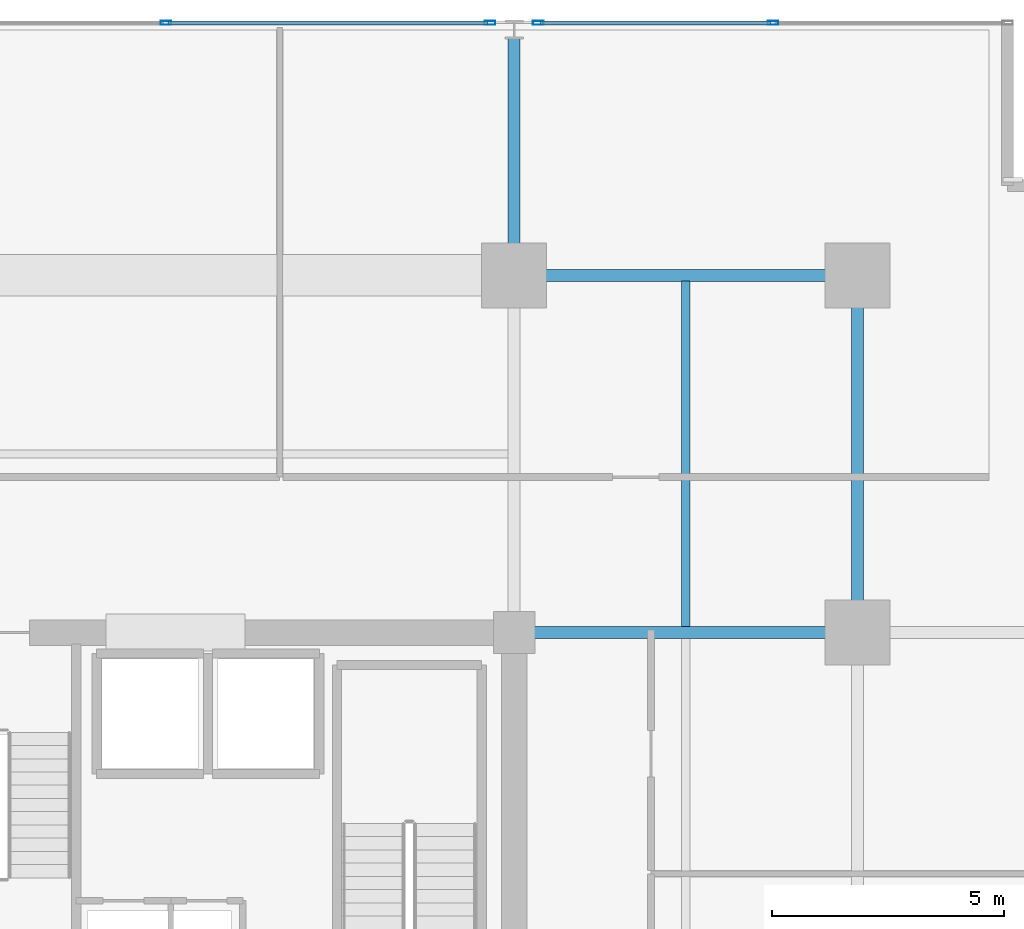
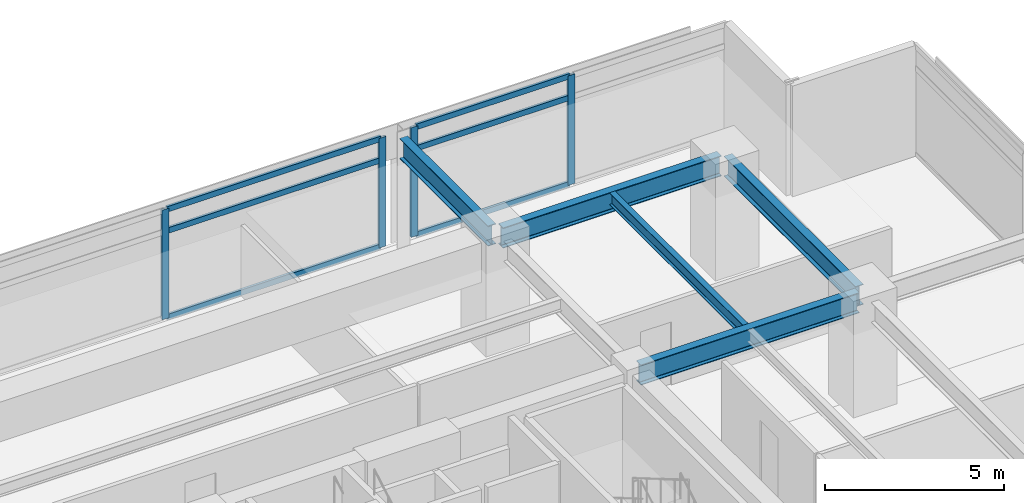
# One storey, part 11 of 23: 10 members, 5 beams, 2 elements without a shape of their own.
"""IFC4 building model written with IfcOpenShell, lengths in metres."""

from ifc_helpers import new_model, si_unit, direction, frame, origin, origin_2d, place, context, subcontext, project, spatial, hollow_rectangle, i_section, extrude, material, material_profile, profile_set, type_object, element, aggregate, save


model = new_model("IFC4")

# Units and contexts
model_context = context("Model", 3, precision=1e-05, world=origin(), true_north=direction((0.0, 1.0)))
body_context = subcontext(model_context, "Body", "Model", "MODEL_VIEW")
ifc_project = project(units=[si_unit("LENGTHUNIT", "METRE"), si_unit("AREAUNIT", "SQUARE_METRE"), si_unit("VOLUMEUNIT", "CUBIC_METRE"), si_unit("PLANEANGLEUNIT", "RADIAN"), si_unit("MASSUNIT", "GRAM", prefix="KILO")], contexts=[model_context])

# Site, building, storey
site_placement = place(None, origin())
site = spatial("IfcSite", under=ifc_project, at=site_placement, CompositionType="ELEMENT")
building_placement = place(site_placement, origin())
building = spatial("IfcBuilding", under=site, at=building_placement, Name="Kovane Verandah Tower", CompositionType="ELEMENT")
storey_placement = place(building_placement, frame((0.0, 0.0, 221.199951171875)))
storey = spatial("IfcBuildingStorey", under=building, at=storey_placement, Name="L51", CompositionType="ELEMENT", Elevation=221.199951171875)

# Beams
ifc_material_1 = material(Name="Steel S355", Category="steel")
ifc_material_profile_1 = material_profile(ifc_material_1, i_section(OverallWidth=0.255859375, OverallDepth=0.69287109375, WebThickness=0.014404296875, FlangeThickness=0.023681640625, FilletRadius=0.01513671875, at=origin_2d()), Name="UB686x254x170")
ifc_profile_set_1 = profile_set([ifc_material_profile_1], Name="Steel S355")
beam_type_1 = type_object("IfcBeamType", Name="BM-UB686x170", PredefinedType="BEAM", material=ifc_profile_set_1)
beam_1_placement = place(storey_placement, frame((51.179931640625, 44.199951171875, 3.428466796875), z_axis=(1.0, 0.0, 0.0), x_axis=(0.0, 1.0, 0.0)))
element("IfcBeam", 1, at=beam_1_placement, inside=storey, type_object=beam_type_1, Name="L51 Primary Tower Girder G-RN3", PredefinedType="BEAM", context=body_context, shape_type="SweptSolid", body=[
    extrude(i_section(OverallWidth=0.255859375, OverallDepth=0.69287109375, WebThickness=0.014404296875, FlangeThickness=0.023681640625, FilletRadius=0.01513671875, at=origin_2d()), origin(), (0.0, 0.0, 1.0), 7.0400390625),
])
beam_2_placement = place(storey_placement, frame((58.39990234375, 36.679931640625, 3.428466796875), z_axis=(0.0, 1.0, 0.0), x_axis=(-1.0, 0.0, 0.0)))
element("IfcBeam", 2, at=beam_2_placement, inside=storey, type_object=beam_type_1, Name="L51 Primary Tower Girder G-RE3", PredefinedType="BEAM", context=body_context, shape_type="SweptSolid", body=[
    extrude(i_section(OverallWidth=0.255859375, OverallDepth=0.69287109375, WebThickness=0.014404296875, FlangeThickness=0.023681640625, FilletRadius=0.01513671875, at=origin_2d()), origin(), (0.0, 0.0, 1.0), 7.340087890625),
])
beam_3_placement = place(storey_placement, frame((51.179931640625, 36.5, 3.428466796875), z_axis=(1.0, 0.0, 0.0), x_axis=(0.0, 1.0, 0.0)))
element("IfcBeam", 3, at=beam_3_placement, inside=storey, type_object=beam_type_1, Name="L51 Primary Tower Girder G-E2", PredefinedType="BEAM", context=body_context, shape_type="SweptSolid", body=[
    extrude(i_section(OverallWidth=0.255859375, OverallDepth=0.69287109375, WebThickness=0.014404296875, FlangeThickness=0.023681640625, FilletRadius=0.01513671875, at=origin_2d()), origin(), (0.0, 0.0, 1.0), 7.0400390625),
])
beam_4_placement = place(storey_placement, frame((51.0, 44.3798828125, 3.41357421875), z_axis=(0.0, 1.0, 0.0), x_axis=(-1.0, 0.0, 0.0)))
element("IfcBeam", 4, at=beam_4_placement, inside=storey, type_object=beam_type_1, Name="L51 Primary Tower Girder G-VN2", PredefinedType="BEAM", context=body_context, shape_type="SweptSolid", body=[
    extrude(i_section(OverallWidth=0.255859375, OverallDepth=0.69287109375, WebThickness=0.014404296875, FlangeThickness=0.023681640625, FilletRadius=0.01513671875, at=origin_2d()), origin(), (0.0, 0.0, 1.0), 4.940185546875),
])

# Curtain wall, members
ifc_material_2 = material(Name="Champagne Anodised Aluminium Frame with Low-E Clear Laminated Glass", Category="aluminium")
curtain_wall_type = type_object("IfcCurtainWallType", Name="CW-SYS-03-MID", PredefinedType="NOTDEFINED", material=ifc_material_2)
curtain_wall_1_placement = place(storey_placement, origin())
curtain_wall_1 = element("IfcCurtainWall", 5, at=curtain_wall_1_placement, inside=storey, type_object=curtain_wall_type, Name="L51 N Unitised Curtain Wall-1", PredefinedType="NOTDEFINED")
ifc_material_3 = material(Name="Champagne Anodised Aluminium 6063-T6", Category="aluminium")
ifc_material_profile_2 = material_profile(ifc_material_3, hollow_rectangle(XDim=0.0849609375, YDim=0.22998046875, WallThickness=0.00390625, at=origin_2d()), Name="AL85x230x4")
ifc_profile_set_2 = profile_set([ifc_material_profile_2], Name="Champagne Anodised Aluminium 6063-T6")
member_type_1 = type_object("IfcMemberType", Name="CW-MUL-85x230", PredefinedType="MULLION", material=ifc_profile_set_2)
member_1_placement = place(storey_placement, frame((56.57568359375, 49.640380859375, 0.02001953125), z_axis=(0.0, 0.0, 1.0), x_axis=(0.0, 1.0, 0.0)))
member_1 = element("IfcMember", 6, at=member_1_placement, type_object=member_type_1, Name="L51 N Unitised Curtain Wall-1 Mullion 2", PredefinedType="MULLION", context=body_context, shape_type="SweptSolid", body=[
    extrude(hollow_rectangle(XDim=0.0849609375, YDim=0.22998046875, WallThickness=0.00390625, at=origin_2d()), origin(), (0.0, 0.0, 1.0), 3.735107421875),
])
member_2_placement = place(storey_placement, frame((51.52001953125, 49.640380859375, 0.02001953125), z_axis=(0.0, 0.0, 1.0), x_axis=(0.0, 1.0, 0.0)))
member_2 = element("IfcMember", 7, at=member_2_placement, type_object=member_type_1, Name="L51 N Unitised Curtain Wall-1 Mullion 3", PredefinedType="MULLION", context=body_context, shape_type="SweptSolid", body=[
    extrude(hollow_rectangle(XDim=0.0849609375, YDim=0.22998046875, WallThickness=0.00390625, at=origin_2d()), origin(), (0.0, 0.0, 1.0), 3.735107421875),
])

curtain_wall_2_placement = place(storey_placement, origin())
curtain_wall_2 = element("IfcCurtainWall", 8, at=curtain_wall_2_placement, inside=storey, type_object=curtain_wall_type, Name="L51 N Unitised Curtain Wall-2", PredefinedType="NOTDEFINED")
member_3_placement = place(storey_placement, frame((50.47998046875, 49.640380859375, 0.02001953125), z_axis=(0.0, 0.0, 1.0), x_axis=(0.0, 1.0, 0.0)))
member_3 = element("IfcMember", 9, at=member_3_placement, type_object=member_type_1, Name="L51 N Unitised Curtain Wall-2 Mullion 1", PredefinedType="MULLION", context=body_context, shape_type="SweptSolid", body=[
    extrude(hollow_rectangle(XDim=0.0849609375, YDim=0.22998046875, WallThickness=0.00390625, at=origin_2d()), origin(), (0.0, 0.0, 1.0), 3.735107421875),
])
member_4_placement = place(storey_placement, frame((43.493408203125, 49.640380859375, 0.02001953125), z_axis=(0.0, 0.0, 1.0), x_axis=(0.0, 1.0, 0.0)))
member_4 = element("IfcMember", 10, at=member_4_placement, type_object=member_type_1, Name="L51 N Unitised Curtain Wall-2 Mullion 2", PredefinedType="MULLION", context=body_context, shape_type="SweptSolid", body=[
    extrude(hollow_rectangle(XDim=0.0849609375, YDim=0.22998046875, WallThickness=0.00390625, at=origin_2d()), origin(), (0.0, 0.0, 1.0), 3.735107421875),
])

# Member
ifc_material_profile_3 = material_profile(ifc_material_3, hollow_rectangle(XDim=0.0849609375, YDim=0.18994140625, WallThickness=0.00390625, at=origin_2d()), Name="AL85x190x4")
ifc_profile_set_3 = profile_set([ifc_material_profile_3], Name="Champagne Anodised Aluminium 6063-T6")
member_type_2 = type_object("IfcMemberType", Name="CW-TRN-85x190", PredefinedType="USERDEFINED", material=ifc_profile_set_3)
member_5_placement = place(storey_placement, frame((56.525634765625, 49.640380859375, 0.050048828125), z_axis=(-1.0, 0.0, 0.0), x_axis=(0.0, -1.0, 0.0)))
member_5 = element("IfcMember", 11, at=member_5_placement, type_object=member_type_2, Name="L51 N Unitised Curtain Wall-1 Transom TB Bay 2", ObjectType="TRANSOM", PredefinedType="USERDEFINED", context=body_context, shape_type="SweptSolid", body=[
    extrude(hollow_rectangle(XDim=0.0849609375, YDim=0.18994140625, WallThickness=0.00390625, at=origin_2d()), origin(), (0.0, 0.0, 1.0), 4.95556640625),
])

member_6_placement = place(storey_placement, frame((56.525634765625, 49.640380859375, 2.9951171875), z_axis=(-1.0, 0.0, 0.0), x_axis=(0.0, -1.0, 0.0)))
member_6 = element("IfcMember", 12, at=member_6_placement, type_object=member_type_2, Name="L51 N Unitised Curtain Wall-1 Transom TM Bay 2", ObjectType="TRANSOM", PredefinedType="USERDEFINED", context=body_context, shape_type="SweptSolid", body=[
    extrude(hollow_rectangle(XDim=0.0849609375, YDim=0.18994140625, WallThickness=0.00390625, at=origin_2d()), origin(), (0.0, 0.0, 1.0), 4.95556640625),
])

member_7_placement = place(storey_placement, frame((56.525634765625, 49.640380859375, 3.72509765625), z_axis=(-1.0, 0.0, 0.0), x_axis=(0.0, -1.0, 0.0)))
member_7 = element("IfcMember", 13, at=member_7_placement, type_object=member_type_2, Name="L51 N Unitised Curtain Wall-1 Transom TT Bay 2", ObjectType="TRANSOM", PredefinedType="USERDEFINED", context=body_context, shape_type="SweptSolid", body=[
    extrude(hollow_rectangle(XDim=0.0849609375, YDim=0.18994140625, WallThickness=0.00390625, at=origin_2d()), origin(), (0.0, 0.0, 1.0), 4.95556640625),
])

aggregate(curtain_wall_1, [member_1, member_2, member_5, member_6, member_7])

member_8_placement = place(storey_placement, frame((50.429931640625, 49.640380859375, 0.050048828125), z_axis=(-1.0, 0.0, 0.0), x_axis=(0.0, -1.0, 0.0)))
member_8 = element("IfcMember", 14, at=member_8_placement, type_object=member_type_2, Name="L51 N Unitised Curtain Wall-2 Transom TB Bay 1", ObjectType="TRANSOM", PredefinedType="USERDEFINED", context=body_context, shape_type="SweptSolid", body=[
    extrude(hollow_rectangle(XDim=0.0849609375, YDim=0.18994140625, WallThickness=0.00390625, at=origin_2d()), origin(), (0.0, 0.0, 1.0), 6.88671875),
])

member_9_placement = place(storey_placement, frame((50.429931640625, 49.640380859375, 2.9951171875), z_axis=(-1.0, 0.0, 0.0), x_axis=(0.0, -1.0, 0.0)))
member_9 = element("IfcMember", 15, at=member_9_placement, type_object=member_type_2, Name="L51 N Unitised Curtain Wall-2 Transom TM Bay 1", ObjectType="TRANSOM", PredefinedType="USERDEFINED", context=body_context, shape_type="SweptSolid", body=[
    extrude(hollow_rectangle(XDim=0.0849609375, YDim=0.18994140625, WallThickness=0.00390625, at=origin_2d()), origin(), (0.0, 0.0, 1.0), 6.88671875),
])

member_10_placement = place(storey_placement, frame((50.429931640625, 49.640380859375, 3.72509765625), z_axis=(-1.0, 0.0, 0.0), x_axis=(0.0, -1.0, 0.0)))
member_10 = element("IfcMember", 16, at=member_10_placement, type_object=member_type_2, Name="L51 N Unitised Curtain Wall-2 Transom TT Bay 1", ObjectType="TRANSOM", PredefinedType="USERDEFINED", context=body_context, shape_type="SweptSolid", body=[
    extrude(hollow_rectangle(XDim=0.0849609375, YDim=0.18994140625, WallThickness=0.00390625, at=origin_2d()), origin(), (0.0, 0.0, 1.0), 6.88671875),
])

aggregate(curtain_wall_2, [member_3, member_4, member_8, member_9, member_10])

# Beam
ifc_material_profile_4 = material_profile(ifc_material_1, i_section(OverallWidth=0.179443359375, OverallDepth=0.412841796875, WebThickness=0.009521484375, FlangeThickness=0.01611328125, FilletRadius=0.01025390625, at=origin_2d()), Name="UB406x178x74")
ifc_profile_set_4 = profile_set([ifc_material_profile_4], Name="Steel S355")
beam_type_2 = type_object("IfcBeamType", Name="JST-UB406x74", PredefinedType="JOIST", material=ifc_profile_set_4)
beam_5_placement = place(storey_placement, frame((54.699951171875, 36.6259765625, 3.568603515625), z_axis=(0.0, 1.0, 0.0), x_axis=(-1.0, 0.0, 0.0)))
element("IfcBeam", 17, at=beam_5_placement, inside=storey, type_object=beam_type_2, Name="L51 Secondary Composite Joist J-NE1", PredefinedType="JOIST", context=body_context, shape_type="SweptSolid", body=[
    extrude(i_section(OverallWidth=0.179443359375, OverallDepth=0.412841796875, WebThickness=0.009521484375, FlangeThickness=0.01611328125, FilletRadius=0.01025390625, at=origin_2d()), origin(), (0.0, 0.0, 1.0), 7.4482421875),
])

save(model, "model.ifc")
